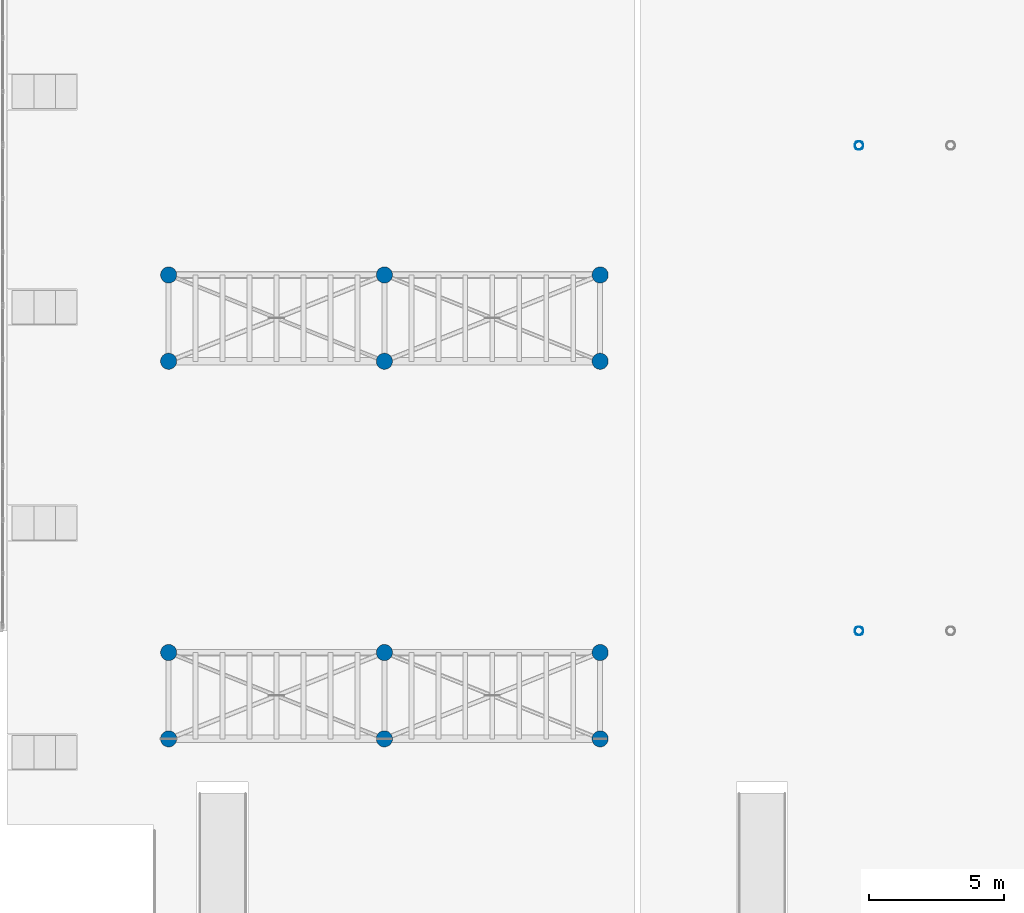
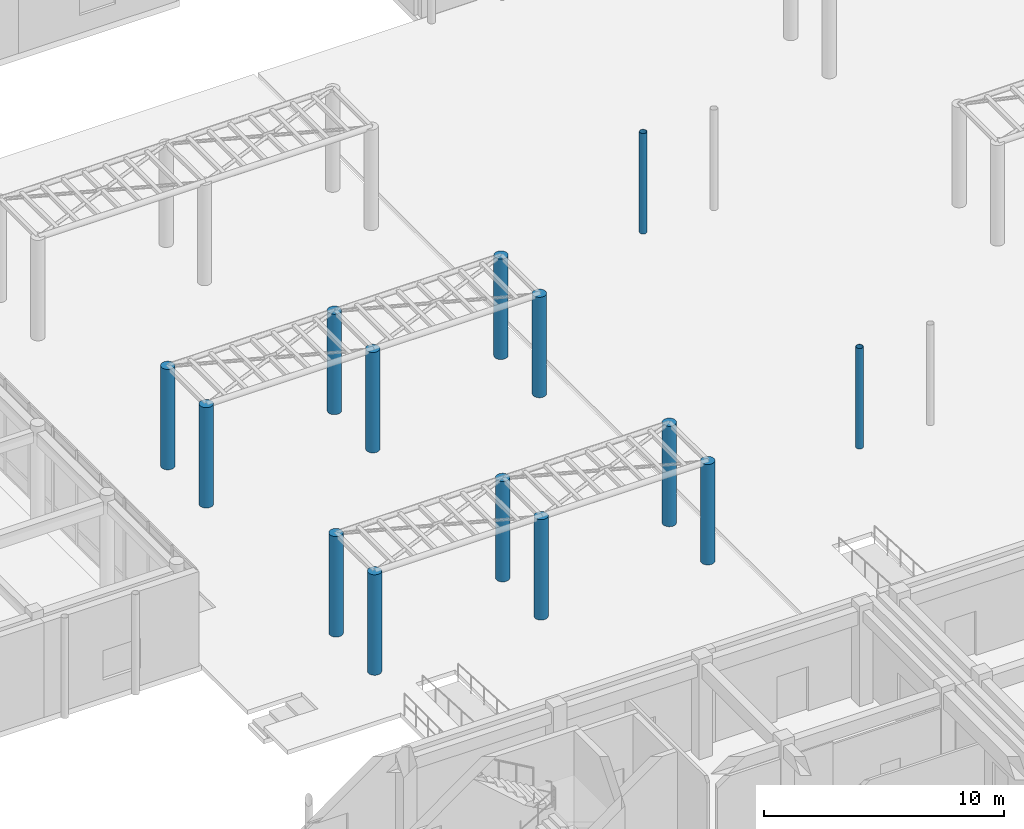
# One storey, part 6 of 121: 14 columns.
"""IFC4 building model written with IfcOpenShell, lengths in metres."""

import ifcopenshell
import ifcopenshell.guid

model = None  # the IFC model being written
_history = None  # IfcOwnerHistory: only IFC2X3 demands one
_inside = {}  # id of a spatial element -> (the spatial element, [elements in it])
_under = {}  # id of a project, library or spatial element -> (it, [spatial elements below it])
_declared = {}  # id of a project -> (the project, [libraries it declares])
_typed = {}  # id of a type object -> (the type object, [elements of that type])
_made_of = {}  # id of a material, layer set ... -> (it, [elements and type objects made of it])


def new_model(schema):
    """Start an empty IFC model of exactly this schema.

    Asked for "IFC4X3", IfcOpenShell would pick the latest addendum, in which some entities
    have other attributes; the version numbers below select the first issue.
    IFC2X3 requires an IfcOwnerHistory on every rooted entity: one is made here for all.
    """
    global model, _history
    if schema == "IFC4X3":
        model = ifcopenshell.file(schema_version=(4, 3, 0, 0))
    else:
        model = ifcopenshell.file(schema=schema)
    _inside.clear()
    _under.clear()
    _declared.clear()
    _typed.clear()
    _made_of.clear()
    _history = None
    if model.schema == "IFC2X3":
        org = make("IfcOrganization", Name="unknown")
        user = make(
            "IfcPersonAndOrganization",
            ThePerson=make("IfcPerson", FamilyName="unknown"),
            TheOrganization=org,
        )
        app = make(
            "IfcApplication",
            ApplicationDeveloper=org,
            Version="unknown",
            ApplicationFullName="unknown",
            ApplicationIdentifier="unknown",
        )
        _history = make(
            "IfcOwnerHistory",
            OwningUser=user,
            OwningApplication=app,
            ChangeAction="ADDED",
            CreationDate=0,
        )
    return model


def make(cls, **values):
    """One entity of the class cls with the attributes given. An attribute that is None is left unset."""
    return model.create_entity(
        cls, **{name: value for name, value in values.items() if value is not None}
    )


def rooted(cls, **values):
    """An entity with a GlobalId (a new one), such as an element, a storey or a relation."""
    return make(cls, GlobalId=ifcopenshell.guid.new(), OwnerHistory=_history, **values)


def si_unit(unit_type, name, prefix=None):
    """IfcSIUnit, for example si_unit("LENGTHUNIT", "METRE", prefix="MILLI")."""
    return make("IfcSIUnit", UnitType=unit_type, Prefix=prefix, Name=name)


def assignment(units):
    """IfcUnitAssignment: the units of a project."""
    return None if units is None else make("IfcUnitAssignment", Units=units)


def point(xyz):
    """IfcCartesianPoint."""
    return None if xyz is None else make("IfcCartesianPoint", Coordinates=xyz)


def direction(xyz):
    """IfcDirection."""
    return None if xyz is None else make("IfcDirection", DirectionRatios=xyz)


def frame(location, z_axis=None, x_axis=None):
    """IfcAxis2Placement3D, a coordinate frame: its origin and axes. An axis left out is left unset."""
    return make(
        "IfcAxis2Placement3D",
        Location=point(location),
        Axis=direction(z_axis),
        RefDirection=direction(x_axis),
    )


def frame_2d(location, x_axis=None):
    """IfcAxis2Placement2D, a coordinate frame in the plane: its origin and x axis."""
    return make(
        "IfcAxis2Placement2D", Location=point(location), RefDirection=direction(x_axis)
    )


def origin():
    """The frame at (0, 0, 0) with its axes left unset."""
    return frame((0.0, 0.0, 0.0))


def origin_2d():
    """The frame at (0, 0) in the plane with its x axis left unset."""
    return frame_2d((0.0, 0.0))


def place(relative_to, where):
    """IfcLocalPlacement: puts the frame where relative to a parent placement (None: the world)."""
    return make(
        "IfcLocalPlacement", PlacementRelTo=relative_to, RelativePlacement=where
    )


def context(
    kind, dimensions, precision=None, world=None, true_north=None, identifier=None
):
    """IfcGeometricRepresentationContext, for example the 3D "Model" context."""
    return make(
        "IfcGeometricRepresentationContext",
        ContextIdentifier=identifier,
        ContextType=kind,
        CoordinateSpaceDimension=dimensions,
        Precision=precision,
        WorldCoordinateSystem=world,
        TrueNorth=true_north,
    )


def subcontext(parent, identifier, kind, view, scale=None):
    """IfcGeometricRepresentationSubContext, for example "Body" below "Model"."""
    return make(
        "IfcGeometricRepresentationSubContext",
        ContextIdentifier=identifier,
        ContextType=kind,
        ParentContext=parent,
        TargetScale=scale,
        TargetView=view,
    )


def project(units=None, contexts=None):
    """IfcProject with its units and contexts."""
    return rooted(
        "IfcProject",
        Name="project",
        RepresentationContexts=contexts,
        UnitsInContext=assignment(units),
    )


def spatial(cls, under=None, at=None, **own):
    """A site, building, storey or space (cls), placed at a placement, below another one or the project."""
    s = rooted(cls, ObjectPlacement=at, **own)
    if under is not None:
        _under.setdefault(under.id(), (under, []))[1].append(s)
    return s


def profile(cls, at=None, kind="AREA", **sizes):
    """A parametric profile (cls). Its sizes go by their IFC names, for example OverallWidth=200.0."""
    return make(cls, ProfileType=kind, Position=at, **sizes)


def circle(**sizes):
    """IfcCircleProfileDef."""
    return profile("IfcCircleProfileDef", **sizes)


def hollow_circle(**sizes):
    """IfcCircleHollowProfileDef."""
    return profile("IfcCircleHollowProfileDef", **sizes)


def extrude(swept, where, along, depth):
    """IfcExtrudedAreaSolid: the profile swept, set in the frame where, extruded along a direction by depth."""
    return make(
        "IfcExtrudedAreaSolid",
        SweptArea=swept,
        Position=where,
        ExtrudedDirection=direction(along),
        Depth=depth,
    )


def shape(context_of_items, identifier, shape_type, items):
    """IfcShapeRepresentation: the items that make up one representation, for example the "Body"."""
    return make(
        "IfcShapeRepresentation",
        ContextOfItems=context_of_items,
        RepresentationIdentifier=identifier,
        RepresentationType=shape_type,
        Items=items,
    )


def material(Name=None, Category=None):
    """IfcMaterial."""
    return make("IfcMaterial", Name=Name, Category=Category)


def material_profile(
    of_material, cross_section, Name=None, Category=None, Priority=None
):
    """IfcMaterialProfile: a cross section and its material."""
    return make(
        "IfcMaterialProfile",
        Name=Name,
        Material=of_material,
        Profile=cross_section,
        Priority=Priority,
        Category=Category,
    )


def profile_set(profiles, Name=None, composite=None):
    """IfcMaterialProfileSet."""
    return make(
        "IfcMaterialProfileSet",
        Name=Name,
        MaterialProfiles=profiles,
        CompositeProfile=composite,
    )


def made_of(thing, what):
    """Note that an element or type object is made of a material, layer set ...; save() writes the relation."""
    if what is not None:
        _made_of.setdefault(what.id(), (what, []))[1].append(thing)
    return thing


def type_object(cls, material=None, **own):
    """A type object (cls), such as IfcWallType, which elements share."""
    return made_of(rooted(cls, **own), material)


def element(
    cls,
    number,
    at=None,
    inside=None,
    cuts=None,
    type_object=None,
    material=None,
    context=None,
    identifier="Body",
    shape_type=None,
    held_by="IfcProductDefinitionShape",
    body=None,
    shapes=None,
    **own,
):
    """One element of the class cls, such as IfcWall. Its Tag is "e" and its number.

    at: its placement. inside: the storey or other place that contains it. cuts: it is an
    opening in that element (IfcRelVoidsElement). A single representation is given by context,
    identifier, shape_type and body (its items); several are given by shapes. held_by: the class
    of the entity that holds the representations. save() writes the other relations.
    """
    e = rooted(cls, Tag="e%d" % number, ObjectPlacement=at, **own)
    if body is not None:
        shapes = [shape(context, identifier, shape_type, body)]
    if shapes is not None:
        e.Representation = make(held_by, Representations=shapes)
    if inside is not None:
        _inside.setdefault(inside.id(), (inside, []))[1].append(e)
    if cuts is not None:
        rooted(
            "IfcRelVoidsElement", RelatingBuildingElement=cuts, RelatedOpeningElement=e
        )
    if type_object is not None:
        _typed.setdefault(type_object.id(), (type_object, []))[1].append(e)
    return made_of(e, material)


def aggregate(whole, parts):
    """IfcRelAggregates: a whole, such as a stair, and the parts it consists of."""
    return rooted("IfcRelAggregates", RelatingObject=whole, RelatedObjects=parts)


def save(model, path):
    """Write the relations noted so far, then the file.

    IfcRelAggregates (storeys below a building ...), IfcRelContainedInSpatialStructure (elements
    in a storey), IfcRelDefinesByType, IfcRelAssociatesMaterial and IfcRelDeclares: one each for
    every whole, place, type object, material and project.
    """
    for whole, parts in _under.values():
        aggregate(whole, parts)
    for where, things in _inside.values():
        rooted(
            "IfcRelContainedInSpatialStructure",
            RelatedElements=things,
            RelatingStructure=where,
        )
    for kind, things in _typed.values():
        rooted("IfcRelDefinesByType", RelatedObjects=things, RelatingType=kind)
    for what, things in _made_of.values():
        rooted("IfcRelAssociatesMaterial", RelatedObjects=things, RelatingMaterial=what)
    for by, libraries in _declared.values():
        rooted("IfcRelDeclares", RelatingContext=by, RelatedDefinitions=libraries)
    model.write(path)


model = new_model("IFC4")

# Units and contexts
model_context = context("Model", 3, precision=1e-05, world=origin(), true_north=direction((0.0, 1.0)))
body_context = subcontext(model_context, "Body", "Model", "MODEL_VIEW")
ifc_project = project(units=[si_unit("LENGTHUNIT", "METRE"), si_unit("AREAUNIT", "SQUARE_METRE"), si_unit("VOLUMEUNIT", "CUBIC_METRE"), si_unit("PLANEANGLEUNIT", "RADIAN"), si_unit("MASSUNIT", "GRAM", prefix="KILO")], contexts=[model_context])

# Site, building, storey
site_placement = place(None, origin())
site = spatial("IfcSite", under=ifc_project, at=site_placement, CompositionType="ELEMENT")
building_placement = place(site_placement, origin())
building = spatial("IfcBuilding", under=site, at=building_placement, Name="Valcora Specialist Clinic", CompositionType="ELEMENT")
storey_placement = place(building_placement, origin())
storey = spatial("IfcBuildingStorey", under=building, at=storey_placement, Name="L00", CompositionType="ELEMENT", Elevation=0.0)

# Columns
ifc_material_1 = material(Name="Steel ASTM A500 Grade C", Category="steel")
ifc_material_profile_1 = material_profile(ifc_material_1, hollow_circle(Radius=0.162109375, WallThickness=0.011962890625, at=origin_2d()), Name="ST-CHS-324X12")
ifc_profile_set_1 = profile_set([ifc_material_profile_1], Name="Steel ASTM A500 Grade C")
column_type_1 = type_object("IfcColumnType", Name="TY-COL-CHS324", PredefinedType="COLUMN", material=ifc_profile_set_1)
for number, where, z_axis, x_axis, name in (
    (1, (61.60009765625, 38.0, 0.0), (0.0, 0.0, 1.0), (1.0, 0.0, 0.0), "Column COL-L00-0966"),
    (2, (61.60009765625, 56.0, 0.0), (0.0, 0.0, 1.0), (1.0, 0.0, 0.0), "Column COL-L00-0972"),
):
    element("IfcColumn", number, at=place(storey_placement, frame(where, z_axis=z_axis, x_axis=x_axis)), inside=storey, type_object=column_type_1, Name=name, PredefinedType="COLUMN", context=body_context, shape_type="SweptSolid", body=[
        extrude(hollow_circle(Radius=0.162109375, WallThickness=0.011962890625, at=origin_2d()), origin(), (0.0, 0.0, 1.0), 5.10009765625),
    ])
ifc_material_2 = material(Name="Concrete C40/50", Category="concrete")
ifc_material_profile_2 = material_profile(ifc_material_2, circle(Radius=0.300048828125, at=origin_2d()), Name="RC-COL-D600")
ifc_profile_set_2 = profile_set([ifc_material_profile_2], Name="Concrete C40/50")
column_type_2 = type_object("IfcColumnType", Name="TY-COL-RCD600", PredefinedType="COLUMN", material=ifc_profile_set_2)
for number, where, z_axis, x_axis, name in (
    (3, (36.0, 34.0, 0.0), (0.0, 0.0, 1.0), (1.0, 0.0, 0.0), "Column COL-L00-1079"),
    (4, (36.0, 37.199951171875, 0.0), (0.0, 0.0, 1.0), (1.0, 0.0, 0.0), "Column COL-L00-1081"),
    (5, (36.0, 48.0, 0.0), (0.0, 0.0, 1.0), (1.0, 0.0, 0.0), "Column COL-L00-1083"),
    (6, (36.0, 51.199951171875, 0.0), (0.0, 0.0, 1.0), (1.0, 0.0, 0.0), "Column COL-L00-1085"),
    (7, (44.0, 34.0, 0.0), (0.0, 0.0, 1.0), (1.0, 0.0, 0.0), "Column COL-L00-1091"),
    (8, (44.0, 37.199951171875, 0.0), (0.0, 0.0, 1.0), (1.0, 0.0, 0.0), "Column COL-L00-1093"),
    (9, (44.0, 48.0, 0.0), (0.0, 0.0, 1.0), (1.0, 0.0, 0.0), "Column COL-L00-1095"),
    (10, (44.0, 51.199951171875, 0.0), (0.0, 0.0, 1.0), (1.0, 0.0, 0.0), "Column COL-L00-1097"),
    (11, (52.0, 34.0, 0.0), (0.0, 0.0, 1.0), (1.0, 0.0, 0.0), "Column COL-L00-1103"),
    (12, (52.0, 37.199951171875, 0.0), (0.0, 0.0, 1.0), (1.0, 0.0, 0.0), "Column COL-L00-1105"),
    (13, (52.0, 48.0, 0.0), (0.0, 0.0, 1.0), (1.0, 0.0, 0.0), "Column COL-L00-1107"),
    (14, (52.0, 51.199951171875, 0.0), (0.0, 0.0, 1.0), (1.0, 0.0, 0.0), "Column COL-L00-1109"),
):
    element("IfcColumn", number, at=place(storey_placement, frame(where, z_axis=z_axis, x_axis=x_axis)), inside=storey, type_object=column_type_2, Name=name, PredefinedType="COLUMN", context=body_context, shape_type="SweptSolid", body=[
        extrude(circle(Radius=0.300048828125, at=origin_2d()), origin(), (0.0, 0.0, 1.0), 5.10009765625),
    ])

save(model, "model.ifc")
